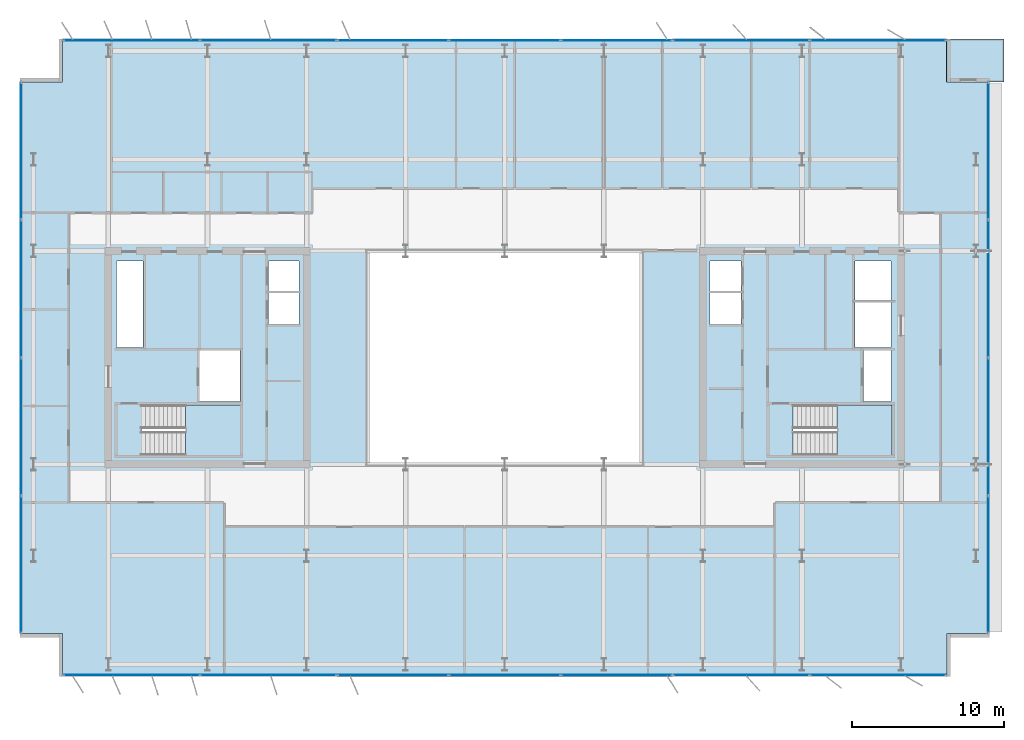
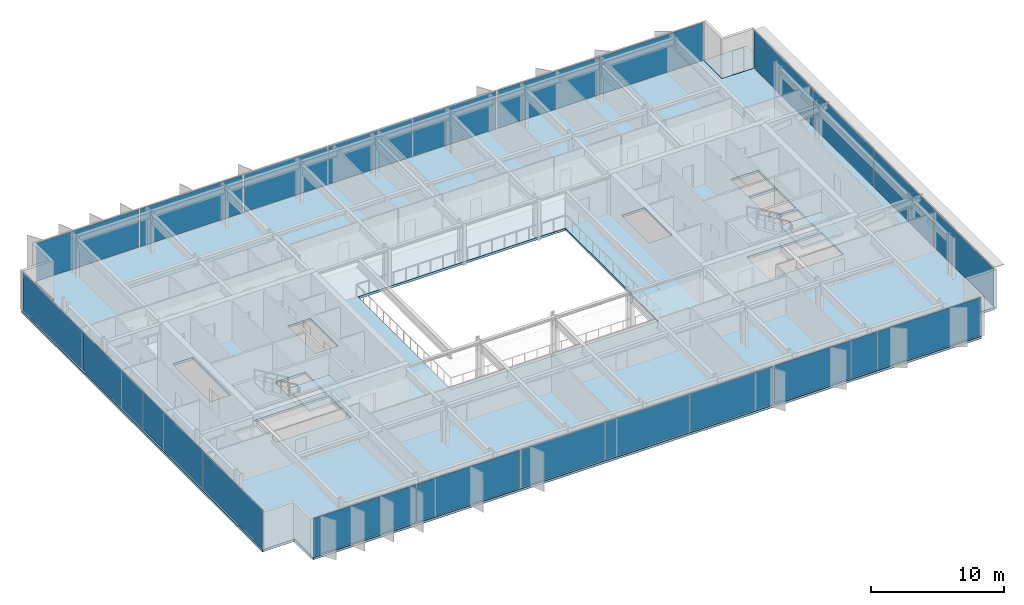
# One storey, part 9 of 19: 22 plates, 4 slabs, 10 elements without a shape of their own.
"""IFC4 building model written with IfcOpenShell, lengths in metres."""

from ifc_helpers import new_model, si_unit, direction, frame, origin, origin_2d, place, context, subcontext, project, spatial, polyline, rectangle, outline, extrude, material, layer, layer_set, type_object, element, aggregate, save


model = new_model("IFC4")

# Units and contexts
model_context = context("Model", 3, precision=1e-05, world=origin(), true_north=direction((0.0, 1.0)))
body_context = subcontext(model_context, "Body", "Model", "MODEL_VIEW")
ifc_project = project(units=[si_unit("LENGTHUNIT", "METRE"), si_unit("AREAUNIT", "SQUARE_METRE"), si_unit("VOLUMEUNIT", "CUBIC_METRE"), si_unit("PLANEANGLEUNIT", "RADIAN"), si_unit("MASSUNIT", "GRAM", prefix="KILO")], contexts=[model_context])

# Site, building, storey
site_placement = place(None, origin())
site = spatial("IfcSite", under=ifc_project, at=site_placement, CompositionType="ELEMENT")
building_placement = place(site_placement, origin())
building = spatial("IfcBuilding", under=site, at=building_placement, Name="Putna Gate Headquarters", CompositionType="ELEMENT")
storey_placement = place(building_placement, frame((0.0, 0.0, 255.60009765625)))
storey = spatial("IfcBuildingStorey", under=building, at=storey_placement, Name="L64", CompositionType="ELEMENT", Elevation=255.60009765625)

# Stair, slab
ifc_material_1 = material(Name="Concrete C40/50", Category="concrete")
stair_type_1 = type_object("IfcStairType", Name="STAIR-ST1", PredefinedType="HALF_TURN_STAIR", material=ifc_material_1)
stair_1_placement = place(storey_placement, origin())
stair_1 = element("IfcStair", 1, at=stair_1_placement, inside=storey, type_object=stair_type_1, Name="L64 West Core Exit Stair ST1", PredefinedType="HALF_TURN_STAIR")
ifc_layer_1 = layer(ifc_material_1, 0.199951171875)
ifc_layer_set_1 = layer_set([ifc_layer_1], Name="Concrete C40/50")
slab_type_1 = type_object("IfcSlabType", Name="LANDING-ST1", PredefinedType="LANDING", material=ifc_layer_set_1)
slab_1_placement = place(storey_placement, frame((0.0, 0.0, 1.699951171875)))
slab_1 = element("IfcSlab", 2, at=slab_1_placement, type_object=slab_type_1, Name="ST1 landing 1", PredefinedType="LANDING", context=body_context, shape_type="SweptSolid", body=[
    extrude(outline(polyline([(18.050048828125, 19.60009765625), (21.64990234375, 19.60009765625), (21.64990234375, 22.89990234375), (18.050048828125, 22.89990234375), (18.050048828125, 19.60009765625)])), origin(), (0.0, 0.0, 1.0), 0.199951171875),
])
aggregate(stair_1, [slab_1])

stair_type_2 = type_object("IfcStairType", Name="STAIR-ST2", PredefinedType="HALF_TURN_STAIR", material=ifc_material_1)
stair_2_placement = place(storey_placement, origin())
stair_2 = element("IfcStair", 3, at=stair_2_placement, inside=storey, type_object=stair_type_2, Name="L64 East Core Exit Stair ST2", PredefinedType="HALF_TURN_STAIR")
ifc_layer_2 = layer(ifc_material_1, 0.199951171875)
ifc_layer_set_2 = layer_set([ifc_layer_2], Name="Concrete C40/50")
slab_type_2 = type_object("IfcSlabType", Name="LANDING-ST2", PredefinedType="LANDING", material=ifc_layer_set_2)
slab_2_placement = place(storey_placement, frame((0.0, 0.0, 1.699951171875)))
slab_2 = element("IfcSlab", 4, at=slab_2_placement, type_object=slab_type_2, Name="ST2 landing 1", PredefinedType="LANDING", context=body_context, shape_type="SweptSolid", body=[
    extrude(outline(polyline([(60.800048828125, 19.60009765625), (64.39990234375, 19.60009765625), (64.39990234375, 22.89990234375), (60.800048828125, 22.89990234375), (60.800048828125, 19.60009765625)])), origin(), (0.0, 0.0, 1.0), 0.199951171875),
])
aggregate(stair_2, [slab_2])

# Curtain wall, plates
ifc_material_2 = material(Name="Anodised bronze aluminium curtain wall", Category="aluminium")
ifc_layer_3 = layer(ifc_material_2, 0.179931640625)
ifc_layer_set_3 = layer_set([ifc_layer_3], Name="Anodised bronze aluminium curtain wall")
curtain_wall_type_1 = type_object("IfcCurtainWallType", Name="CW-SYS-Z5", PredefinedType="USERDEFINED", material=ifc_layer_set_3)
curtain_wall_1_placement = place(storey_placement, origin())
curtain_wall_1 = element("IfcCurtainWall", 5, at=curtain_wall_1_placement, inside=storey, type_object=curtain_wall_type_1, Name="L64 South West Curtain Wall", ObjectType="STICK CURTAIN WALL", PredefinedType="USERDEFINED")
ifc_material_3 = material(Name="Solar-control triple low-E glass", Category="glass")
ifc_layer_4 = layer(ifc_material_3, 0.033935546875)
ifc_layer_set_4 = layer_set([ifc_layer_4], Name="Solar-control triple low-E glass")
plate_type_1 = type_object("IfcPlateType", Name="PAN-CWP-5", PredefinedType="CURTAIN_PANEL", material=ifc_layer_set_4)
plate_1_placement = place(storey_placement, frame((14.517578125, 5.179931640625, 0.06005859375), z_axis=(0.0, 0.0, 1.0), x_axis=(1.0, 0.0, 0.0)))
plate_1 = element("IfcPlate", 6, at=plate_1_placement, type_object=plate_type_1, Name="CWS-5 panel 1.1", PredefinedType="CURTAIN_PANEL", context=body_context, shape_type="SweptSolid", body=[
    extrude(rectangle(XDim=8.89501953125, YDim=0.033935546875, at=origin_2d()), origin(), (0.0, 0.0, 1.0), 3.468017578125),
])
plate_2_placement = place(storey_placement, frame((23.482421875, 5.179931640625, 0.06005859375), z_axis=(0.0, 0.0, 1.0), x_axis=(1.0, 0.0, 0.0)))
plate_2 = element("IfcPlate", 7, at=plate_2_placement, type_object=plate_type_1, Name="CWS-5 panel 2.1", PredefinedType="CURTAIN_PANEL", context=body_context, shape_type="SweptSolid", body=[
    extrude(rectangle(XDim=8.89501953125, YDim=0.033935546875, at=origin_2d()), origin(), (0.0, 0.0, 1.0), 3.468017578125),
])
aggregate(curtain_wall_1, [plate_1, plate_2])

curtain_wall_2_placement = place(storey_placement, origin())
curtain_wall_2 = element("IfcCurtainWall", 8, at=curtain_wall_2_placement, inside=storey, type_object=curtain_wall_type_1, Name="L64 South East Curtain Wall", ObjectType="STICK CURTAIN WALL", PredefinedType="USERDEFINED")
plate_3_placement = place(storey_placement, frame((54.517578125, 5.179931640625, 0.06005859375), z_axis=(0.0, 0.0, 1.0), x_axis=(1.0, 0.0, 0.0)))
plate_3 = element("IfcPlate", 9, at=plate_3_placement, type_object=plate_type_1, Name="CWS-5 panel 1.1", PredefinedType="CURTAIN_PANEL", context=body_context, shape_type="SweptSolid", body=[
    extrude(rectangle(XDim=8.89501953125, YDim=0.033935546875, at=origin_2d()), origin(), (0.0, 0.0, 1.0), 3.468017578125),
])
plate_4_placement = place(storey_placement, frame((63.482421875, 5.179931640625, 0.06005859375), z_axis=(0.0, 0.0, 1.0), x_axis=(1.0, 0.0, 0.0)))
plate_4 = element("IfcPlate", 10, at=plate_4_placement, type_object=plate_type_1, Name="CWS-5 panel 2.1", PredefinedType="CURTAIN_PANEL", context=body_context, shape_type="SweptSolid", body=[
    extrude(rectangle(XDim=8.89501953125, YDim=0.033935546875, at=origin_2d()), origin(), (0.0, 0.0, 1.0), 3.468017578125),
])
aggregate(curtain_wall_2, [plate_3, plate_4])

curtain_wall_3_placement = place(storey_placement, origin())
curtain_wall_3 = element("IfcCurtainWall", 11, at=curtain_wall_3_placement, inside=storey, type_object=curtain_wall_type_1, Name="L64 North West Curtain Wall", ObjectType="STICK CURTAIN WALL", PredefinedType="USERDEFINED")
plate_5_placement = place(storey_placement, frame((14.517578125, 46.820068359375, 0.06005859375), z_axis=(0.0, 0.0, 1.0), x_axis=(1.0, 0.0, 0.0)))
plate_5 = element("IfcPlate", 12, at=plate_5_placement, type_object=plate_type_1, Name="CWS-5 panel 1.1", PredefinedType="CURTAIN_PANEL", context=body_context, shape_type="SweptSolid", body=[
    extrude(rectangle(XDim=8.89501953125, YDim=0.033935546875, at=origin_2d()), origin(), (0.0, 0.0, 1.0), 3.468017578125),
])
plate_6_placement = place(storey_placement, frame((23.482421875, 46.820068359375, 0.06005859375), z_axis=(0.0, 0.0, 1.0), x_axis=(1.0, 0.0, 0.0)))
plate_6 = element("IfcPlate", 13, at=plate_6_placement, type_object=plate_type_1, Name="CWS-5 panel 2.1", PredefinedType="CURTAIN_PANEL", context=body_context, shape_type="SweptSolid", body=[
    extrude(rectangle(XDim=8.89501953125, YDim=0.033935546875, at=origin_2d()), origin(), (0.0, 0.0, 1.0), 3.468017578125),
])
aggregate(curtain_wall_3, [plate_5, plate_6])

curtain_wall_4_placement = place(storey_placement, origin())
curtain_wall_4 = element("IfcCurtainWall", 14, at=curtain_wall_4_placement, inside=storey, type_object=curtain_wall_type_1, Name="L64 North East Curtain Wall", ObjectType="STICK CURTAIN WALL", PredefinedType="USERDEFINED")
plate_7_placement = place(storey_placement, frame((54.517578125, 46.820068359375, 0.06005859375), z_axis=(0.0, 0.0, 1.0), x_axis=(1.0, 0.0, 0.0)))
plate_7 = element("IfcPlate", 15, at=plate_7_placement, type_object=plate_type_1, Name="CWS-5 panel 1.1", PredefinedType="CURTAIN_PANEL", context=body_context, shape_type="SweptSolid", body=[
    extrude(rectangle(XDim=8.89501953125, YDim=0.033935546875, at=origin_2d()), origin(), (0.0, 0.0, 1.0), 3.468017578125),
])
plate_8_placement = place(storey_placement, frame((63.482421875, 46.820068359375, 0.06005859375), z_axis=(0.0, 0.0, 1.0), x_axis=(1.0, 0.0, 0.0)))
plate_8 = element("IfcPlate", 16, at=plate_8_placement, type_object=plate_type_1, Name="CWS-5 panel 2.1", PredefinedType="CURTAIN_PANEL", context=body_context, shape_type="SweptSolid", body=[
    extrude(rectangle(XDim=8.89501953125, YDim=0.033935546875, at=origin_2d()), origin(), (0.0, 0.0, 1.0), 3.468017578125),
])
aggregate(curtain_wall_4, [plate_7, plate_8])

curtain_wall_5_placement = place(storey_placement, origin())
curtain_wall_5 = element("IfcCurtainWall", 17, at=curtain_wall_5_placement, inside=storey, type_object=curtain_wall_type_1, Name="L64 West Curtain Wall", ObjectType="STICK CURTAIN WALL", PredefinedType="USERDEFINED")
plate_9_placement = place(storey_placement, frame((7.280029296875, 12.4423828125, 0.06005859375), z_axis=(0.0, 0.0, 1.0), x_axis=(0.0, 1.0, 0.0)))
plate_9 = element("IfcPlate", 18, at=plate_9_placement, type_object=plate_type_1, Name="CWS-5 panel 1.1", PredefinedType="CURTAIN_PANEL", context=body_context, shape_type="SweptSolid", body=[
    extrude(rectangle(XDim=8.945068359375, YDim=0.033935546875, at=origin_2d()), origin(), (0.0, 0.0, 1.0), 3.468017578125),
])
plate_10_placement = place(storey_placement, frame((7.280029296875, 21.47509765625, 0.06005859375), z_axis=(0.0, 0.0, 1.0), x_axis=(0.0, 1.0, 0.0)))
plate_10 = element("IfcPlate", 19, at=plate_10_placement, type_object=plate_type_1, Name="CWS-5 panel 2.1", PredefinedType="CURTAIN_PANEL", context=body_context, shape_type="SweptSolid", body=[
    extrude(rectangle(XDim=8.97998046875, YDim=0.033935546875, at=origin_2d()), origin(), (0.0, 0.0, 1.0), 3.468017578125),
])
plate_11_placement = place(storey_placement, frame((7.280029296875, 30.52490234375, 0.06005859375), z_axis=(0.0, 0.0, 1.0), x_axis=(0.0, 1.0, 0.0)))
plate_11 = element("IfcPlate", 20, at=plate_11_placement, type_object=plate_type_1, Name="CWS-5 panel 3.1", PredefinedType="CURTAIN_PANEL", context=body_context, shape_type="SweptSolid", body=[
    extrude(rectangle(XDim=8.97998046875, YDim=0.033935546875, at=origin_2d()), origin(), (0.0, 0.0, 1.0), 3.468017578125),
])
plate_12_placement = place(storey_placement, frame((7.280029296875, 39.5576171875, 0.06005859375), z_axis=(0.0, 0.0, 1.0), x_axis=(0.0, 1.0, 0.0)))
plate_12 = element("IfcPlate", 21, at=plate_12_placement, type_object=plate_type_1, Name="CWS-5 panel 4.1", PredefinedType="CURTAIN_PANEL", context=body_context, shape_type="SweptSolid", body=[
    extrude(rectangle(XDim=8.945068359375, YDim=0.033935546875, at=origin_2d()), origin(), (0.0, 0.0, 1.0), 3.468017578125),
])
aggregate(curtain_wall_5, [plate_9, plate_10, plate_11, plate_12])

curtain_wall_6_placement = place(storey_placement, origin())
curtain_wall_6 = element("IfcCurtainWall", 22, at=curtain_wall_6_placement, inside=storey, type_object=curtain_wall_type_1, Name="L64 East Curtain Wall", ObjectType="STICK CURTAIN WALL", PredefinedType="USERDEFINED")
plate_13_placement = place(storey_placement, frame((70.719970703125, 12.4423828125, 0.06005859375), z_axis=(0.0, 0.0, 1.0), x_axis=(0.0, 1.0, 0.0)))
plate_13 = element("IfcPlate", 23, at=plate_13_placement, type_object=plate_type_1, Name="CWS-5 panel 1.1", PredefinedType="CURTAIN_PANEL", context=body_context, shape_type="SweptSolid", body=[
    extrude(rectangle(XDim=8.945068359375, YDim=0.033935546875, at=origin_2d()), origin(), (0.0, 0.0, 1.0), 3.468017578125),
])
plate_14_placement = place(storey_placement, frame((70.719970703125, 21.47509765625, 0.06005859375), z_axis=(0.0, 0.0, 1.0), x_axis=(0.0, 1.0, 0.0)))
plate_14 = element("IfcPlate", 24, at=plate_14_placement, type_object=plate_type_1, Name="CWS-5 panel 2.1", PredefinedType="CURTAIN_PANEL", context=body_context, shape_type="SweptSolid", body=[
    extrude(rectangle(XDim=8.97998046875, YDim=0.033935546875, at=origin_2d()), origin(), (0.0, 0.0, 1.0), 3.468017578125),
])
plate_15_placement = place(storey_placement, frame((70.719970703125, 30.52490234375, 0.06005859375), z_axis=(0.0, 0.0, 1.0), x_axis=(0.0, 1.0, 0.0)))
plate_15 = element("IfcPlate", 25, at=plate_15_placement, type_object=plate_type_1, Name="CWS-5 panel 3.1", PredefinedType="CURTAIN_PANEL", context=body_context, shape_type="SweptSolid", body=[
    extrude(rectangle(XDim=8.97998046875, YDim=0.033935546875, at=origin_2d()), origin(), (0.0, 0.0, 1.0), 3.468017578125),
])
plate_16_placement = place(storey_placement, frame((70.719970703125, 39.5576171875, 0.06005859375), z_axis=(0.0, 0.0, 1.0), x_axis=(0.0, 1.0, 0.0)))
plate_16 = element("IfcPlate", 26, at=plate_16_placement, type_object=plate_type_1, Name="CWS-5 panel 4.1", PredefinedType="CURTAIN_PANEL", context=body_context, shape_type="SweptSolid", body=[
    extrude(rectangle(XDim=8.945068359375, YDim=0.033935546875, at=origin_2d()), origin(), (0.0, 0.0, 1.0), 3.468017578125),
])
aggregate(curtain_wall_6, [plate_13, plate_14, plate_15, plate_16])

ifc_layer_5 = layer(ifc_material_2, 0.179931640625)
ifc_layer_set_5 = layer_set([ifc_layer_5], Name="Anodised bronze aluminium curtain wall")
curtain_wall_type_2 = type_object("IfcCurtainWallType", Name="CW-SYS-ATR", PredefinedType="USERDEFINED", material=ifc_layer_set_5)
curtain_wall_7_placement = place(storey_placement, origin())
curtain_wall_7 = element("IfcCurtainWall", 27, at=curtain_wall_7_placement, inside=storey, type_object=curtain_wall_type_2, Name="L64 South Atrium Clear Glazing", ObjectType="ATRIUM GLAZING", PredefinedType="USERDEFINED")
ifc_material_4 = material(Name="Clear low-iron triple glazing", Category="glass")
ifc_layer_6 = layer(ifc_material_4, 0.0400390625)
ifc_layer_set_6 = layer_set([ifc_layer_6], Name="Clear low-iron triple glazing")
plate_type_2 = type_object("IfcPlateType", Name="PAN-CWP-AT", PredefinedType="CURTAIN_PANEL", material=ifc_layer_set_6)
plate_17_placement = place(storey_placement, frame((31.68408203125, 5.179931640625, 0.06982421875), z_axis=(0.0, 0.0, 1.0), x_axis=(1.0, 0.0, 0.0)))
plate_17 = element("IfcPlate", 28, at=plate_17_placement, type_object=plate_type_2, Name="CWS-AT panel 1.1", PredefinedType="CURTAIN_PANEL", context=body_context, shape_type="SweptSolid", body=[
    extrude(rectangle(XDim=7.228271484375, YDim=0.0400390625, at=origin_2d()), origin(), (0.0, 0.0, 1.0), 3.447998046875),
])
plate_18_placement = place(storey_placement, frame((39.0, 5.179931640625, 0.06982421875), z_axis=(0.0, 0.0, 1.0), x_axis=(1.0, 0.0, 0.0)))
plate_18 = element("IfcPlate", 29, at=plate_18_placement, type_object=plate_type_2, Name="CWS-AT panel 2.1", PredefinedType="CURTAIN_PANEL", context=body_context, shape_type="SweptSolid", body=[
    extrude(rectangle(XDim=7.263427734375, YDim=0.0400390625, at=origin_2d()), origin(), (0.0, 0.0, 1.0), 3.447998046875),
])
plate_19_placement = place(storey_placement, frame((46.31591796875, 5.179931640625, 0.06982421875), z_axis=(0.0, 0.0, 1.0), x_axis=(1.0, 0.0, 0.0)))
plate_19 = element("IfcPlate", 30, at=plate_19_placement, type_object=plate_type_2, Name="CWS-AT panel 3.1", PredefinedType="CURTAIN_PANEL", context=body_context, shape_type="SweptSolid", body=[
    extrude(rectangle(XDim=7.228271484375, YDim=0.0400390625, at=origin_2d()), origin(), (0.0, 0.0, 1.0), 3.447998046875),
])
aggregate(curtain_wall_7, [plate_17, plate_18, plate_19])

curtain_wall_8_placement = place(storey_placement, origin())
curtain_wall_8 = element("IfcCurtainWall", 31, at=curtain_wall_8_placement, inside=storey, type_object=curtain_wall_type_2, Name="L64 North Atrium Clear Glazing", ObjectType="ATRIUM GLAZING", PredefinedType="USERDEFINED")
plate_20_placement = place(storey_placement, frame((31.68408203125, 46.820068359375, 0.06982421875), z_axis=(0.0, 0.0, 1.0), x_axis=(1.0, 0.0, 0.0)))
plate_20 = element("IfcPlate", 32, at=plate_20_placement, type_object=plate_type_2, Name="CWS-AT panel 1.1", PredefinedType="CURTAIN_PANEL", context=body_context, shape_type="SweptSolid", body=[
    extrude(rectangle(XDim=7.228271484375, YDim=0.0400390625, at=origin_2d()), origin(), (0.0, 0.0, 1.0), 3.447998046875),
])
plate_21_placement = place(storey_placement, frame((39.0, 46.820068359375, 0.06982421875), z_axis=(0.0, 0.0, 1.0), x_axis=(1.0, 0.0, 0.0)))
plate_21 = element("IfcPlate", 33, at=plate_21_placement, type_object=plate_type_2, Name="CWS-AT panel 2.1", PredefinedType="CURTAIN_PANEL", context=body_context, shape_type="SweptSolid", body=[
    extrude(rectangle(XDim=7.263427734375, YDim=0.0400390625, at=origin_2d()), origin(), (0.0, 0.0, 1.0), 3.447998046875),
])
plate_22_placement = place(storey_placement, frame((46.31591796875, 46.820068359375, 0.06982421875), z_axis=(0.0, 0.0, 1.0), x_axis=(1.0, 0.0, 0.0)))
plate_22 = element("IfcPlate", 34, at=plate_22_placement, type_object=plate_type_2, Name="CWS-AT panel 3.1", PredefinedType="CURTAIN_PANEL", context=body_context, shape_type="SweptSolid", body=[
    extrude(rectangle(XDim=7.228271484375, YDim=0.0400390625, at=origin_2d()), origin(), (0.0, 0.0, 1.0), 3.447998046875),
])
aggregate(curtain_wall_8, [plate_20, plate_21, plate_22])

# Slabs
ifc_layer_7 = layer(ifc_material_1, 0.179931640625)
ifc_layer_set_7 = layer_set([ifc_layer_7], Name="Concrete C40/50")
slab_type_3 = type_object("IfcSlabType", Name="SLAB-TERRACE-180", PredefinedType="FLOOR", material=ifc_layer_set_7)
slab_3_placement = place(storey_placement, frame((0.0, 0.0, -0.18017578125)))
element("IfcSlab", 35, at=slab_3_placement, inside=storey, type_object=slab_type_3, Name="L64 Spiral Sky-Garden Terrace Slab (NE)", PredefinedType="FLOOR", context=body_context, shape_type="SweptSolid", body=[
    extrude(outline(polyline([(67.991943359375, 44.092041015625), (71.75, 44.092041015625), (71.75, 46.89990234375), (67.991943359375, 46.89990234375), (67.991943359375, 44.092041015625)])), origin(), (0.0, 0.0, 1.0), 0.18017578125),
])
ifc_layer_8 = layer(ifc_material_1, 0.2119140625)
ifc_layer_set_8 = layer_set([ifc_layer_8], Name="Concrete C40/50")
slab_type_4 = type_object("IfcSlabType", Name="SLAB-Z5-212", PredefinedType="FLOOR", material=ifc_layer_set_8)
slab_4_placement = place(storey_placement, frame((0.0, 0.0, -0.212158203125)))
element("IfcSlab", 36, at=slab_4_placement, inside=storey, type_object=slab_type_4, Name="L64 Composite Floor Slab", PredefinedType="FLOOR", context=body_context, shape_type="SweptSolid", body=[
    extrude(outline(polyline([(10.0, 5.10009765625), (68.0, 5.10009765625), (68.0, 7.89990234375), (70.800048828125, 7.89990234375), (70.800048828125, 44.10009765625), (68.0, 44.10009765625), (68.0, 46.89990234375), (10.0, 46.89990234375), (10.0, 44.10009765625), (7.199951171875, 44.10009765625), (7.199951171875, 7.89990234375), (10.0, 7.89990234375), (10.0, 5.10009765625)]), holes=[polyline([(15.1650390625, 19.60009765625), (21.64990234375, 19.60009765625), (21.64990234375, 22.89990234375), (15.1650390625, 22.89990234375), (15.1650390625, 19.60009765625)]), polyline([(57.9150390625, 19.60009765625), (64.39990234375, 19.60009765625), (64.39990234375, 22.89990234375), (57.9150390625, 22.89990234375), (57.9150390625, 19.60009765625)]), polyline([(13.52001953125, 26.659912109375), (15.280029296875, 26.659912109375), (15.280029296875, 32.35009765625), (13.52001953125, 32.35009765625), (13.52001953125, 26.659912109375)]), polyline([(61.969970703125, 29.780029296875), (64.35009765625, 29.780029296875), (64.35009765625, 32.35009765625), (61.969970703125, 32.35009765625), (61.969970703125, 29.780029296875)]), polyline([(18.97998046875, 23.1201171875), (21.6201171875, 23.1201171875), (21.6201171875, 26.4599609375), (18.97998046875, 26.4599609375), (18.97998046875, 23.1201171875)]), polyline([(62.52001953125, 23.1201171875), (64.35009765625, 23.1201171875), (64.35009765625, 26.4599609375), (62.52001953125, 26.4599609375), (62.52001953125, 23.1201171875)]), polyline([(61.969970703125, 26.659912109375), (64.35009765625, 26.659912109375), (64.35009765625, 29.6201171875), (61.969970703125, 29.6201171875), (61.969970703125, 26.659912109375)]), polyline([(23.5, 28.199951171875), (25.5, 28.199951171875), (25.5, 32.35009765625), (23.5, 32.35009765625), (23.5, 28.199951171875)]), polyline([(52.47998046875, 28.199951171875), (54.5, 28.199951171875), (54.5, 32.35009765625), (52.47998046875, 32.35009765625), (52.47998046875, 28.199951171875)]), polyline([(30.0, 19.0), (48.0, 19.0), (48.0, 33.0), (30.0, 33.0), (30.0, 19.0)])]), origin(), (0.0, 0.0, 1.0), 0.212158203125),
])

save(model, "model.ifc")
